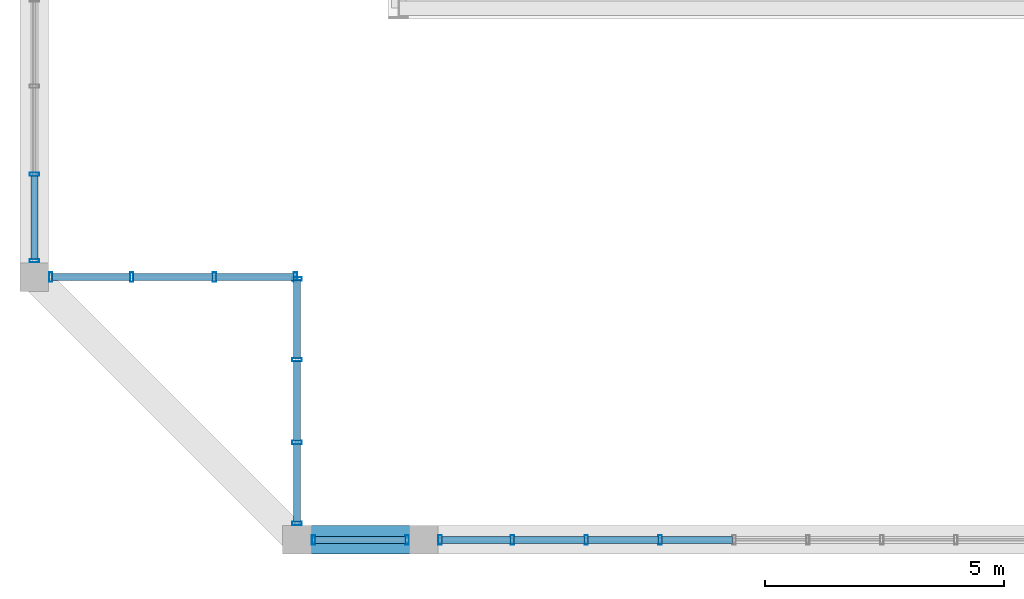
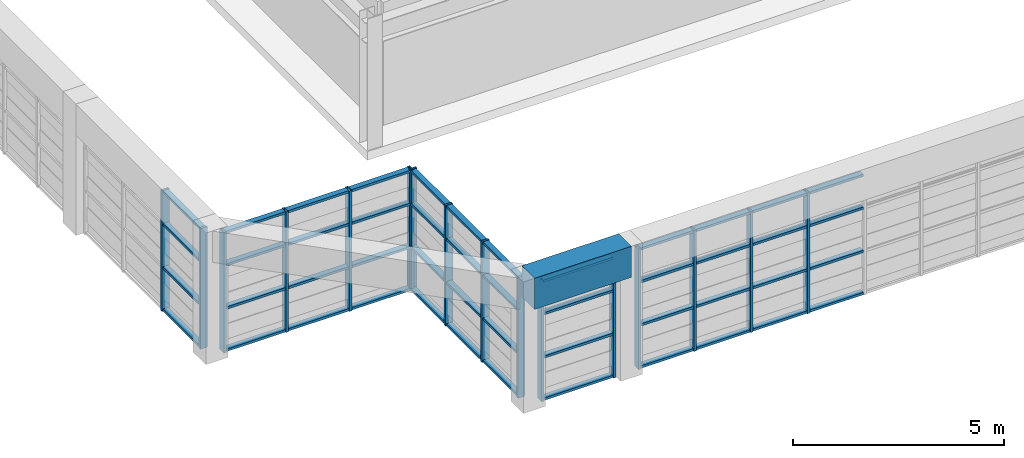
# One storey, part 2 of 27: 64 members, 1 beam, 5 elements without a shape of their own.
"""IFC4 building model written with IfcOpenShell, lengths in metres."""

from ifc_helpers import new_model, si_unit, direction, frame, origin, origin_2d, place, context, subcontext, project, spatial, rectangle, hollow_rectangle, extrude, source, transform, mapped, material, layer, layer_set, material_profile, profile_set, type_object, element, aggregate, save


model = new_model("IFC4")

# Units and contexts
model_context = context("Model", 3, precision=1e-05, world=origin(), true_north=direction((0.0, 1.0)))
body_context = subcontext(model_context, "Body", "Model", "MODEL_VIEW")
ifc_project = project(units=[si_unit("LENGTHUNIT", "METRE"), si_unit("AREAUNIT", "SQUARE_METRE"), si_unit("VOLUMEUNIT", "CUBIC_METRE"), si_unit("PLANEANGLEUNIT", "RADIAN"), si_unit("MASSUNIT", "GRAM", prefix="KILO")], contexts=[model_context])

# Site, building, storey
site_placement = place(None, origin())
site = spatial("IfcSite", under=ifc_project, at=site_placement, CompositionType="ELEMENT")
building_placement = place(site_placement, origin())
building = spatial("IfcBuilding", under=site, at=building_placement, Name="Saelheon Loggia Tower", CompositionType="ELEMENT")
storey_placement = place(building_placement, frame((0.0, 0.0, 263.60009765625)))
storey = spatial("IfcBuildingStorey", under=building, at=storey_placement, Name="CR4", CompositionType="ELEMENT", Elevation=263.60009765625)

# Beam
ifc_material_1 = material(Name="Precast Concrete C45/55", Category="concrete")
ifc_material_profile_1 = material_profile(ifc_material_1, rectangle(XDim=0.60009765625, YDim=0.89990234375, at=origin_2d()), Name="RC-600x900")
ifc_profile_set_1 = profile_set([ifc_material_profile_1], Name="Precast Concrete C45/55")
beam_type = type_object("IfcBeamType", Name="CrownFrame_Ring_RC600x900", PredefinedType="BEAM", material=ifc_profile_set_1)
shared_shape_1 = source(origin(), body_context, "Body", "SweptSolid", [
    extrude(rectangle(XDim=0.60009765625, YDim=0.89990234375, at=origin_2d()), origin(), (0.0, 0.0, 1.0), 2.64990234375),
])
beam_placement = place(storey_placement, frame((28.85009765625, 6.35009765625, 3.349853515625), z_axis=(1.0, 0.0, 0.0), x_axis=(0.0, 1.0, 0.0)))
element("IfcBeam", 1, at=beam_placement, inside=storey, type_object=beam_type, Name="CR4 CROWN FRAME Ring Beam 01", PredefinedType="BEAM", context=body_context, shape_type="MappedRepresentation", body=[
    mapped(shared_shape_1, transform((0.0, 0.0, 0.0), scale=1.0)),
])

# Curtain wall, members
ifc_material_2 = material(Name="Bronze-Anodised Aluminium and Fritted Ceramic Screen", Category="aluminium")
ifc_layer = layer(ifc_material_2, 0.219970703125)
ifc_layer_set = layer_set([ifc_layer], Name="Bronze-Anodised Aluminium and Fritted Ceramic Screen")
curtain_wall_type = type_object("IfcCurtainWallType", Name="CW_CrownScreen", PredefinedType="NOTDEFINED", material=ifc_layer_set)
curtain_wall_1_placement = place(storey_placement, origin())
curtain_wall_1 = element("IfcCurtainWall", 2, at=curtain_wall_1_placement, inside=storey, type_object=curtain_wall_type, Name="CR4 Crown Screen Curtain Wall 0-1", PredefinedType="NOTDEFINED")
ifc_material_3 = material(Name="Bronze-Anodised Aluminium 6063-T6", Category="aluminium")
ifc_material_profile_2 = material_profile(ifc_material_3, hollow_rectangle(XDim=0.070068359375, YDim=0.199951171875, WallThickness=0.0048828125, at=origin_2d()), Name="RHS-200x70x5")
ifc_profile_set_2 = profile_set([ifc_material_profile_2], Name="Bronze-Anodised Aluminium 6063-T6")
member_type_1 = type_object("IfcMemberType", Name="CW_CrownScreen_Mullion", PredefinedType="MULLION", material=ifc_profile_set_2)
shared_shape_2 = source(origin(), body_context, "Body", "SweptSolid", [
    extrude(hollow_rectangle(XDim=0.070068359375, YDim=0.199951171875, WallThickness=0.0048828125, at=origin_2d()), origin(), (0.0, 0.0, 1.0), 3.47998046875),
])
member_1_placement = place(storey_placement, frame((29.195068359375, 6.35009765625, 0.0), z_axis=(0.0, 0.0, 1.0), x_axis=(1.0, 0.0, 0.0)))
member_1 = element("IfcMember", 3, at=member_1_placement, type_object=member_type_1, Name="CW6 mullion 1", PredefinedType="MULLION", context=body_context, shape_type="MappedRepresentation", body=[
    mapped(shared_shape_2, transform((0.0, 0.0, 0.0), scale=1.0)),
])
member_2_placement = place(storey_placement, frame((31.155029296875, 6.35009765625, 0.0), z_axis=(0.0, 0.0, 1.0), x_axis=(1.0, 0.0, 0.0)))
member_2 = element("IfcMember", 4, at=member_2_placement, type_object=member_type_1, Name="CW6 mullion 2", PredefinedType="MULLION", context=body_context, shape_type="MappedRepresentation", body=[
    mapped(shared_shape_2, transform((0.0, 0.0, 0.0), scale=1.0)),
])

curtain_wall_2_placement = place(storey_placement, origin())
curtain_wall_2 = element("IfcCurtainWall", 5, at=curtain_wall_2_placement, inside=storey, type_object=curtain_wall_type, Name="CR4 Crown Screen Curtain Wall 0-2", PredefinedType="NOTDEFINED")
member_3_placement = place(storey_placement, frame((31.844970703125, 6.35009765625, 0.0), z_axis=(0.0, 0.0, 1.0), x_axis=(1.0, 0.0, 0.0)))
member_3 = element("IfcMember", 6, at=member_3_placement, type_object=member_type_1, Name="CW6 mullion 1", PredefinedType="MULLION", context=body_context, shape_type="MappedRepresentation", body=[
    mapped(shared_shape_2, transform((0.0, 0.0, 0.0), scale=1.0)),
])
member_4_placement = place(storey_placement, frame((33.357421875, 6.35009765625, 0.0), z_axis=(0.0, 0.0, 1.0), x_axis=(1.0, 0.0, 0.0)))
member_4 = element("IfcMember", 7, at=member_4_placement, type_object=member_type_1, Name="CW6 mullion 2", PredefinedType="MULLION", context=body_context, shape_type="MappedRepresentation", body=[
    mapped(shared_shape_2, transform((0.0, 0.0, 0.0), scale=1.0)),
])
member_5_placement = place(storey_placement, frame((34.905029296875, 6.35009765625, 0.0), z_axis=(0.0, 0.0, 1.0), x_axis=(1.0, 0.0, 0.0)))
member_5 = element("IfcMember", 8, at=member_5_placement, type_object=member_type_1, Name="CW6 mullion 3", PredefinedType="MULLION", context=body_context, shape_type="MappedRepresentation", body=[
    mapped(shared_shape_2, transform((0.0, 0.0, 0.0), scale=1.0)),
])
member_6_placement = place(storey_placement, frame((36.452392578125, 6.35009765625, 0.0), z_axis=(0.0, 0.0, 1.0), x_axis=(1.0, 0.0, 0.0)))
member_6 = element("IfcMember", 9, at=member_6_placement, type_object=member_type_1, Name="CW6 mullion 4", PredefinedType="MULLION", context=body_context, shape_type="MappedRepresentation", body=[
    mapped(shared_shape_2, transform((0.0, 0.0, 0.0), scale=1.0)),
])

curtain_wall_3_placement = place(storey_placement, origin())
curtain_wall_3 = element("IfcCurtainWall", 10, at=curtain_wall_3_placement, inside=storey, type_object=curtain_wall_type, Name="CR4 Crown Screen Curtain Wall 9-3", PredefinedType="NOTDEFINED")
member_7_placement = place(storey_placement, frame((23.35009765625, 14.00341796875, 0.0), z_axis=(0.0, 0.0, 1.0), x_axis=(0.0, -1.0, 0.0)))
member_7 = element("IfcMember", 11, at=member_7_placement, type_object=member_type_1, Name="CW6 mullion 3", PredefinedType="MULLION", context=body_context, shape_type="MappedRepresentation", body=[
    mapped(shared_shape_2, transform((0.0, 0.0, 0.0), scale=1.0)),
])
member_8_placement = place(storey_placement, frame((23.35009765625, 12.195068359375, 0.0), z_axis=(0.0, 0.0, 1.0), x_axis=(0.0, -1.0, 0.0)))
member_8 = element("IfcMember", 12, at=member_8_placement, type_object=member_type_1, Name="CW6 mullion 4", PredefinedType="MULLION", context=body_context, shape_type="MappedRepresentation", body=[
    mapped(shared_shape_2, transform((0.0, 0.0, 0.0), scale=1.0)),
])

curtain_wall_4_placement = place(storey_placement, origin())
curtain_wall_4 = element("IfcCurtainWall", 13, at=curtain_wall_4_placement, inside=storey, type_object=curtain_wall_type, Name="CR4 Crown Screen Curtain Wall 10-1", PredefinedType="NOTDEFINED")
member_9_placement = place(storey_placement, frame((23.695068359375, 11.85009765625, 0.0), z_axis=(0.0, 0.0, 1.0), x_axis=(1.0, 0.0, 0.0)))
member_9 = element("IfcMember", 14, at=member_9_placement, type_object=member_type_1, Name="CW6 mullion 1", PredefinedType="MULLION", context=body_context, shape_type="MappedRepresentation", body=[
    mapped(shared_shape_2, transform((0.0, 0.0, 0.0), scale=1.0)),
])
member_10_placement = place(storey_placement, frame((25.389892578125, 11.85009765625, 0.0), z_axis=(0.0, 0.0, 1.0), x_axis=(1.0, 0.0, 0.0)))
member_10 = element("IfcMember", 15, at=member_10_placement, type_object=member_type_1, Name="CW6 mullion 2", PredefinedType="MULLION", context=body_context, shape_type="MappedRepresentation", body=[
    mapped(shared_shape_2, transform((0.0, 0.0, 0.0), scale=1.0)),
])
member_11_placement = place(storey_placement, frame((27.1201171875, 11.85009765625, 0.0), z_axis=(0.0, 0.0, 1.0), x_axis=(1.0, 0.0, 0.0)))
member_11 = element("IfcMember", 16, at=member_11_placement, type_object=member_type_1, Name="CW6 mullion 3", PredefinedType="MULLION", context=body_context, shape_type="MappedRepresentation", body=[
    mapped(shared_shape_2, transform((0.0, 0.0, 0.0), scale=1.0)),
])
member_12_placement = place(storey_placement, frame((28.81494140625, 11.85009765625, 0.0), z_axis=(0.0, 0.0, 1.0), x_axis=(1.0, 0.0, 0.0)))
member_12 = element("IfcMember", 17, at=member_12_placement, type_object=member_type_1, Name="CW6 mullion 4", PredefinedType="MULLION", context=body_context, shape_type="MappedRepresentation", body=[
    mapped(shared_shape_2, transform((0.0, 0.0, 0.0), scale=1.0)),
])

curtain_wall_5_placement = place(storey_placement, origin())
curtain_wall_5 = element("IfcCurtainWall", 18, at=curtain_wall_5_placement, inside=storey, type_object=curtain_wall_type, Name="CR4 Crown Screen Curtain Wall 11-1", PredefinedType="NOTDEFINED")
member_13_placement = place(storey_placement, frame((28.85009765625, 11.81494140625, 0.0), z_axis=(0.0, 0.0, 1.0), x_axis=(0.0, -1.0, 0.0)))
member_13 = element("IfcMember", 19, at=member_13_placement, type_object=member_type_1, Name="CW6 mullion 1", PredefinedType="MULLION", context=body_context, shape_type="MappedRepresentation", body=[
    mapped(shared_shape_2, transform((0.0, 0.0, 0.0), scale=1.0)),
])
member_14_placement = place(storey_placement, frame((28.85009765625, 10.1201171875, 0.0), z_axis=(0.0, 0.0, 1.0), x_axis=(0.0, -1.0, 0.0)))
member_14 = element("IfcMember", 20, at=member_14_placement, type_object=member_type_1, Name="CW6 mullion 2", PredefinedType="MULLION", context=body_context, shape_type="MappedRepresentation", body=[
    mapped(shared_shape_2, transform((0.0, 0.0, 0.0), scale=1.0)),
])
member_15_placement = place(storey_placement, frame((28.85009765625, 8.389892578125, 0.0), z_axis=(0.0, 0.0, 1.0), x_axis=(0.0, -1.0, 0.0)))
member_15 = element("IfcMember", 21, at=member_15_placement, type_object=member_type_1, Name="CW6 mullion 3", PredefinedType="MULLION", context=body_context, shape_type="MappedRepresentation", body=[
    mapped(shared_shape_2, transform((0.0, 0.0, 0.0), scale=1.0)),
])
member_16_placement = place(storey_placement, frame((28.85009765625, 6.695068359375, 0.0), z_axis=(0.0, 0.0, 1.0), x_axis=(0.0, -1.0, 0.0)))
member_16 = element("IfcMember", 22, at=member_16_placement, type_object=member_type_1, Name="CW6 mullion 4", PredefinedType="MULLION", context=body_context, shape_type="MappedRepresentation", body=[
    mapped(shared_shape_2, transform((0.0, 0.0, 0.0), scale=1.0)),
])

# Member
ifc_material_profile_3 = material_profile(ifc_material_3, hollow_rectangle(XDim=0.070068359375, YDim=0.14990234375, WallThickness=0.0048828125, at=origin_2d()), Name="RHS-150x70x5")
ifc_profile_set_3 = profile_set([ifc_material_profile_3], Name="Bronze-Anodised Aluminium 6063-T6")
member_type_2 = type_object("IfcMemberType", Name="CW_CrownScreen_Transom", PredefinedType="USERDEFINED", material=ifc_profile_set_3)
shared_shape_3 = source(origin(), body_context, "Body", "SweptSolid", [
    extrude(hollow_rectangle(XDim=0.070068359375, YDim=0.14990234375, WallThickness=0.0048828125, at=origin_2d()), origin(), (0.0, 0.0, 1.0), 1.89013671875),
])
member_17_placement = place(storey_placement, frame((29.22998046875, 6.35009765625, 0.034912109375), z_axis=(1.0, 0.0, 0.0), x_axis=(0.0, 0.0, 1.0)))
member_17 = element("IfcMember", 23, at=member_17_placement, type_object=member_type_2, Name="CW6 transom 1.1", ObjectType="TRANSOM", PredefinedType="USERDEFINED", context=body_context, shape_type="MappedRepresentation", body=[
    mapped(shared_shape_3, transform((0.0, 0.0, 0.0), scale=1.0)),
])

member_18_placement = place(storey_placement, frame((29.22998046875, 6.35009765625, 1.25), z_axis=(1.0, 0.0, 0.0), x_axis=(0.0, 0.0, 1.0)))
member_18 = element("IfcMember", 24, at=member_18_placement, type_object=member_type_2, Name="CW6 transom 1.2", ObjectType="TRANSOM", PredefinedType="USERDEFINED", context=body_context, shape_type="MappedRepresentation", body=[
    mapped(shared_shape_3, transform((0.0, 0.0, 0.0), scale=1.0)),
])

member_19_placement = place(storey_placement, frame((29.22998046875, 6.35009765625, 2.5), z_axis=(1.0, 0.0, 0.0), x_axis=(0.0, 0.0, 1.0)))
member_19 = element("IfcMember", 25, at=member_19_placement, type_object=member_type_2, Name="CW6 transom 1.3", ObjectType="TRANSOM", PredefinedType="USERDEFINED", context=body_context, shape_type="MappedRepresentation", body=[
    mapped(shared_shape_3, transform((0.0, 0.0, 0.0), scale=1.0)),
])

member_20_placement = place(storey_placement, frame((29.22998046875, 6.35009765625, 3.44482421875), z_axis=(1.0, 0.0, 0.0), x_axis=(0.0, 0.0, 1.0)))
member_20 = element("IfcMember", 26, at=member_20_placement, type_object=member_type_2, Name="CW6 transom 1.4", ObjectType="TRANSOM", PredefinedType="USERDEFINED", context=body_context, shape_type="MappedRepresentation", body=[
    mapped(shared_shape_3, transform((0.0, 0.0, 0.0), scale=1.0)),
])

aggregate(curtain_wall_1, [member_1, member_2, member_17, member_18, member_19, member_20])

shared_shape_4 = source(origin(), body_context, "Body", "SweptSolid", [
    extrude(hollow_rectangle(XDim=0.070068359375, YDim=0.14990234375, WallThickness=0.0048828125, at=origin_2d()), origin(), (0.0, 0.0, 1.0), 1.442626953125),
])
member_21_placement = place(storey_placement, frame((31.8798828125, 6.35009765625, 0.034912109375), z_axis=(1.0, 0.0, 0.0), x_axis=(0.0, 0.0, 1.0)))
member_21 = element("IfcMember", 27, at=member_21_placement, type_object=member_type_2, Name="CW6 transom 1.1", ObjectType="TRANSOM", PredefinedType="USERDEFINED", context=body_context, shape_type="MappedRepresentation", body=[
    mapped(shared_shape_4, transform((0.0, 0.0, 0.0), scale=1.0)),
])

member_22_placement = place(storey_placement, frame((31.8798828125, 6.35009765625, 1.25), z_axis=(1.0, 0.0, 0.0), x_axis=(0.0, 0.0, 1.0)))
member_22 = element("IfcMember", 28, at=member_22_placement, type_object=member_type_2, Name="CW6 transom 1.2", ObjectType="TRANSOM", PredefinedType="USERDEFINED", context=body_context, shape_type="MappedRepresentation", body=[
    mapped(shared_shape_4, transform((0.0, 0.0, 0.0), scale=1.0)),
])

member_23_placement = place(storey_placement, frame((31.8798828125, 6.35009765625, 2.5), z_axis=(1.0, 0.0, 0.0), x_axis=(0.0, 0.0, 1.0)))
member_23 = element("IfcMember", 29, at=member_23_placement, type_object=member_type_2, Name="CW6 transom 1.3", ObjectType="TRANSOM", PredefinedType="USERDEFINED", context=body_context, shape_type="MappedRepresentation", body=[
    mapped(shared_shape_4, transform((0.0, 0.0, 0.0), scale=1.0)),
])

member_24_placement = place(storey_placement, frame((31.8798828125, 6.35009765625, 3.44482421875), z_axis=(1.0, 0.0, 0.0), x_axis=(0.0, 0.0, 1.0)))
member_24 = element("IfcMember", 30, at=member_24_placement, type_object=member_type_2, Name="CW6 transom 1.4", ObjectType="TRANSOM", PredefinedType="USERDEFINED", context=body_context, shape_type="MappedRepresentation", body=[
    mapped(shared_shape_4, transform((0.0, 0.0, 0.0), scale=1.0)),
])

shared_shape_5 = source(origin(), body_context, "Body", "SweptSolid", [
    extrude(hollow_rectangle(XDim=0.070068359375, YDim=0.14990234375, WallThickness=0.0048828125, at=origin_2d()), origin(), (0.0, 0.0, 1.0), 1.4775390625),
])
member_25_placement = place(storey_placement, frame((33.392578125, 6.35009765625, 0.034912109375), z_axis=(1.0, 0.0, 0.0), x_axis=(0.0, 0.0, 1.0)))
member_25 = element("IfcMember", 31, at=member_25_placement, type_object=member_type_2, Name="CW6 transom 2.1", ObjectType="TRANSOM", PredefinedType="USERDEFINED", context=body_context, shape_type="MappedRepresentation", body=[
    mapped(shared_shape_5, transform((0.0, 0.0, 0.0), scale=1.0)),
])

member_26_placement = place(storey_placement, frame((33.392578125, 6.35009765625, 1.25), z_axis=(1.0, 0.0, 0.0), x_axis=(0.0, 0.0, 1.0)))
member_26 = element("IfcMember", 32, at=member_26_placement, type_object=member_type_2, Name="CW6 transom 2.2", ObjectType="TRANSOM", PredefinedType="USERDEFINED", context=body_context, shape_type="MappedRepresentation", body=[
    mapped(shared_shape_5, transform((0.0, 0.0, 0.0), scale=1.0)),
])

member_27_placement = place(storey_placement, frame((33.392578125, 6.35009765625, 2.5), z_axis=(1.0, 0.0, 0.0), x_axis=(0.0, 0.0, 1.0)))
member_27 = element("IfcMember", 33, at=member_27_placement, type_object=member_type_2, Name="CW6 transom 2.3", ObjectType="TRANSOM", PredefinedType="USERDEFINED", context=body_context, shape_type="MappedRepresentation", body=[
    mapped(shared_shape_5, transform((0.0, 0.0, 0.0), scale=1.0)),
])

member_28_placement = place(storey_placement, frame((33.392578125, 6.35009765625, 3.44482421875), z_axis=(1.0, 0.0, 0.0), x_axis=(0.0, 0.0, 1.0)))
member_28 = element("IfcMember", 34, at=member_28_placement, type_object=member_type_2, Name="CW6 transom 2.4", ObjectType="TRANSOM", PredefinedType="USERDEFINED", context=body_context, shape_type="MappedRepresentation", body=[
    mapped(shared_shape_5, transform((0.0, 0.0, 0.0), scale=1.0)),
])

member_29_placement = place(storey_placement, frame((34.93994140625, 6.35009765625, 0.034912109375), z_axis=(1.0, 0.0, 0.0), x_axis=(0.0, 0.0, 1.0)))
member_29 = element("IfcMember", 35, at=member_29_placement, type_object=member_type_2, Name="CW6 transom 3.1", ObjectType="TRANSOM", PredefinedType="USERDEFINED", context=body_context, shape_type="MappedRepresentation", body=[
    mapped(shared_shape_5, transform((0.0, 0.0, 0.0), scale=1.0)),
])

member_30_placement = place(storey_placement, frame((34.93994140625, 6.35009765625, 1.25), z_axis=(1.0, 0.0, 0.0), x_axis=(0.0, 0.0, 1.0)))
member_30 = element("IfcMember", 36, at=member_30_placement, type_object=member_type_2, Name="CW6 transom 3.2", ObjectType="TRANSOM", PredefinedType="USERDEFINED", context=body_context, shape_type="MappedRepresentation", body=[
    mapped(shared_shape_5, transform((0.0, 0.0, 0.0), scale=1.0)),
])

member_31_placement = place(storey_placement, frame((34.93994140625, 6.35009765625, 2.5), z_axis=(1.0, 0.0, 0.0), x_axis=(0.0, 0.0, 1.0)))
member_31 = element("IfcMember", 37, at=member_31_placement, type_object=member_type_2, Name="CW6 transom 3.3", ObjectType="TRANSOM", PredefinedType="USERDEFINED", context=body_context, shape_type="MappedRepresentation", body=[
    mapped(shared_shape_5, transform((0.0, 0.0, 0.0), scale=1.0)),
])

member_32_placement = place(storey_placement, frame((34.93994140625, 6.35009765625, 3.44482421875), z_axis=(1.0, 0.0, 0.0), x_axis=(0.0, 0.0, 1.0)))
member_32 = element("IfcMember", 38, at=member_32_placement, type_object=member_type_2, Name="CW6 transom 3.4", ObjectType="TRANSOM", PredefinedType="USERDEFINED", context=body_context, shape_type="MappedRepresentation", body=[
    mapped(shared_shape_5, transform((0.0, 0.0, 0.0), scale=1.0)),
])

member_33_placement = place(storey_placement, frame((36.487548828125, 6.35009765625, 0.034912109375), z_axis=(1.0, 0.0, 0.0), x_axis=(0.0, 0.0, 1.0)))
member_33 = element("IfcMember", 39, at=member_33_placement, type_object=member_type_2, Name="CW6 transom 4.1", ObjectType="TRANSOM", PredefinedType="USERDEFINED", context=body_context, shape_type="MappedRepresentation", body=[
    mapped(shared_shape_5, transform((0.0, 0.0, 0.0), scale=1.0)),
])

member_34_placement = place(storey_placement, frame((36.487548828125, 6.35009765625, 1.25), z_axis=(1.0, 0.0, 0.0), x_axis=(0.0, 0.0, 1.0)))
member_34 = element("IfcMember", 40, at=member_34_placement, type_object=member_type_2, Name="CW6 transom 4.2", ObjectType="TRANSOM", PredefinedType="USERDEFINED", context=body_context, shape_type="MappedRepresentation", body=[
    mapped(shared_shape_5, transform((0.0, 0.0, 0.0), scale=1.0)),
])

member_35_placement = place(storey_placement, frame((36.487548828125, 6.35009765625, 2.5), z_axis=(1.0, 0.0, 0.0), x_axis=(0.0, 0.0, 1.0)))
member_35 = element("IfcMember", 41, at=member_35_placement, type_object=member_type_2, Name="CW6 transom 4.3", ObjectType="TRANSOM", PredefinedType="USERDEFINED", context=body_context, shape_type="MappedRepresentation", body=[
    mapped(shared_shape_5, transform((0.0, 0.0, 0.0), scale=1.0)),
])

member_36_placement = place(storey_placement, frame((36.487548828125, 6.35009765625, 3.44482421875), z_axis=(1.0, 0.0, 0.0), x_axis=(0.0, 0.0, 1.0)))
member_36 = element("IfcMember", 42, at=member_36_placement, type_object=member_type_2, Name="CW6 transom 4.4", ObjectType="TRANSOM", PredefinedType="USERDEFINED", context=body_context, shape_type="MappedRepresentation", body=[
    mapped(shared_shape_5, transform((0.0, 0.0, 0.0), scale=1.0)),
])

aggregate(curtain_wall_2, [member_3, member_4, member_5, member_6, member_21, member_22, member_23, member_24, member_25, member_26, member_27, member_28, member_29, member_30, member_31, member_32, member_33, member_34, member_35, member_36])

shared_shape_6 = source(origin(), body_context, "Body", "SweptSolid", [
    extrude(hollow_rectangle(XDim=0.070068359375, YDim=0.14990234375, WallThickness=0.0048828125, at=origin_2d()), origin(), (0.0, 0.0, 1.0), 1.625),
])
member_37_placement = place(storey_placement, frame((23.72998046875, 11.85009765625, 0.034912109375), z_axis=(1.0, 0.0, 0.0), x_axis=(0.0, 0.0, 1.0)))
member_37 = element("IfcMember", 43, at=member_37_placement, type_object=member_type_2, Name="CW6 transom 1.1", ObjectType="TRANSOM", PredefinedType="USERDEFINED", context=body_context, shape_type="MappedRepresentation", body=[
    mapped(shared_shape_6, transform((0.0, 0.0, 0.0), scale=1.0)),
])

member_38_placement = place(storey_placement, frame((23.72998046875, 11.85009765625, 1.25), z_axis=(1.0, 0.0, 0.0), x_axis=(0.0, 0.0, 1.0)))
member_38 = element("IfcMember", 44, at=member_38_placement, type_object=member_type_2, Name="CW6 transom 1.2", ObjectType="TRANSOM", PredefinedType="USERDEFINED", context=body_context, shape_type="MappedRepresentation", body=[
    mapped(shared_shape_6, transform((0.0, 0.0, 0.0), scale=1.0)),
])

member_39_placement = place(storey_placement, frame((23.72998046875, 11.85009765625, 2.5), z_axis=(1.0, 0.0, 0.0), x_axis=(0.0, 0.0, 1.0)))
member_39 = element("IfcMember", 45, at=member_39_placement, type_object=member_type_2, Name="CW6 transom 1.3", ObjectType="TRANSOM", PredefinedType="USERDEFINED", context=body_context, shape_type="MappedRepresentation", body=[
    mapped(shared_shape_6, transform((0.0, 0.0, 0.0), scale=1.0)),
])

member_40_placement = place(storey_placement, frame((23.72998046875, 11.85009765625, 3.44482421875), z_axis=(1.0, 0.0, 0.0), x_axis=(0.0, 0.0, 1.0)))
member_40 = element("IfcMember", 46, at=member_40_placement, type_object=member_type_2, Name="CW6 transom 1.4", ObjectType="TRANSOM", PredefinedType="USERDEFINED", context=body_context, shape_type="MappedRepresentation", body=[
    mapped(shared_shape_6, transform((0.0, 0.0, 0.0), scale=1.0)),
])

member_41_placement = place(storey_placement, frame((27.155029296875, 11.85009765625, 0.034912109375), z_axis=(1.0, 0.0, 0.0), x_axis=(0.0, 0.0, 1.0)))
member_41 = element("IfcMember", 47, at=member_41_placement, type_object=member_type_2, Name="CW6 transom 3.1", ObjectType="TRANSOM", PredefinedType="USERDEFINED", context=body_context, shape_type="MappedRepresentation", body=[
    mapped(shared_shape_6, transform((0.0, 0.0, 0.0), scale=1.0)),
])

member_42_placement = place(storey_placement, frame((27.155029296875, 11.85009765625, 1.25), z_axis=(1.0, 0.0, 0.0), x_axis=(0.0, 0.0, 1.0)))
member_42 = element("IfcMember", 48, at=member_42_placement, type_object=member_type_2, Name="CW6 transom 3.2", ObjectType="TRANSOM", PredefinedType="USERDEFINED", context=body_context, shape_type="MappedRepresentation", body=[
    mapped(shared_shape_6, transform((0.0, 0.0, 0.0), scale=1.0)),
])

member_43_placement = place(storey_placement, frame((27.155029296875, 11.85009765625, 2.5), z_axis=(1.0, 0.0, 0.0), x_axis=(0.0, 0.0, 1.0)))
member_43 = element("IfcMember", 49, at=member_43_placement, type_object=member_type_2, Name="CW6 transom 3.3", ObjectType="TRANSOM", PredefinedType="USERDEFINED", context=body_context, shape_type="MappedRepresentation", body=[
    mapped(shared_shape_6, transform((0.0, 0.0, 0.0), scale=1.0)),
])

member_44_placement = place(storey_placement, frame((27.155029296875, 11.85009765625, 3.44482421875), z_axis=(1.0, 0.0, 0.0), x_axis=(0.0, 0.0, 1.0)))
member_44 = element("IfcMember", 50, at=member_44_placement, type_object=member_type_2, Name="CW6 transom 3.4", ObjectType="TRANSOM", PredefinedType="USERDEFINED", context=body_context, shape_type="MappedRepresentation", body=[
    mapped(shared_shape_6, transform((0.0, 0.0, 0.0), scale=1.0)),
])

member_45_placement = place(storey_placement, frame((28.85009765625, 11.780029296875, 0.034912109375), z_axis=(0.0, -1.0, 0.0), x_axis=(0.0, 0.0, 1.0)))
member_45 = element("IfcMember", 51, at=member_45_placement, type_object=member_type_2, Name="CW6 transom 1.1", ObjectType="TRANSOM", PredefinedType="USERDEFINED", context=body_context, shape_type="MappedRepresentation", body=[
    mapped(shared_shape_6, transform((0.0, 0.0, 0.0), scale=1.0)),
])

member_46_placement = place(storey_placement, frame((28.85009765625, 11.780029296875, 1.25), z_axis=(0.0, -1.0, 0.0), x_axis=(0.0, 0.0, 1.0)))
member_46 = element("IfcMember", 52, at=member_46_placement, type_object=member_type_2, Name="CW6 transom 1.2", ObjectType="TRANSOM", PredefinedType="USERDEFINED", context=body_context, shape_type="MappedRepresentation", body=[
    mapped(shared_shape_6, transform((0.0, 0.0, 0.0), scale=1.0)),
])

member_47_placement = place(storey_placement, frame((28.85009765625, 11.780029296875, 2.5), z_axis=(0.0, -1.0, 0.0), x_axis=(0.0, 0.0, 1.0)))
member_47 = element("IfcMember", 53, at=member_47_placement, type_object=member_type_2, Name="CW6 transom 1.3", ObjectType="TRANSOM", PredefinedType="USERDEFINED", context=body_context, shape_type="MappedRepresentation", body=[
    mapped(shared_shape_6, transform((0.0, 0.0, 0.0), scale=1.0)),
])

member_48_placement = place(storey_placement, frame((28.85009765625, 11.780029296875, 3.44482421875), z_axis=(0.0, -1.0, 0.0), x_axis=(0.0, 0.0, 1.0)))
member_48 = element("IfcMember", 54, at=member_48_placement, type_object=member_type_2, Name="CW6 transom 1.4", ObjectType="TRANSOM", PredefinedType="USERDEFINED", context=body_context, shape_type="MappedRepresentation", body=[
    mapped(shared_shape_6, transform((0.0, 0.0, 0.0), scale=1.0)),
])

member_49_placement = place(storey_placement, frame((28.85009765625, 8.35498046875, 0.034912109375), z_axis=(0.0, -1.0, 0.0), x_axis=(0.0, 0.0, 1.0)))
member_49 = element("IfcMember", 55, at=member_49_placement, type_object=member_type_2, Name="CW6 transom 3.1", ObjectType="TRANSOM", PredefinedType="USERDEFINED", context=body_context, shape_type="MappedRepresentation", body=[
    mapped(shared_shape_6, transform((0.0, 0.0, 0.0), scale=1.0)),
])

member_50_placement = place(storey_placement, frame((28.85009765625, 8.35498046875, 1.25), z_axis=(0.0, -1.0, 0.0), x_axis=(0.0, 0.0, 1.0)))
member_50 = element("IfcMember", 56, at=member_50_placement, type_object=member_type_2, Name="CW6 transom 3.2", ObjectType="TRANSOM", PredefinedType="USERDEFINED", context=body_context, shape_type="MappedRepresentation", body=[
    mapped(shared_shape_6, transform((0.0, 0.0, 0.0), scale=1.0)),
])

member_51_placement = place(storey_placement, frame((28.85009765625, 8.35498046875, 2.5), z_axis=(0.0, -1.0, 0.0), x_axis=(0.0, 0.0, 1.0)))
member_51 = element("IfcMember", 57, at=member_51_placement, type_object=member_type_2, Name="CW6 transom 3.3", ObjectType="TRANSOM", PredefinedType="USERDEFINED", context=body_context, shape_type="MappedRepresentation", body=[
    mapped(shared_shape_6, transform((0.0, 0.0, 0.0), scale=1.0)),
])

member_52_placement = place(storey_placement, frame((28.85009765625, 8.35498046875, 3.44482421875), z_axis=(0.0, -1.0, 0.0), x_axis=(0.0, 0.0, 1.0)))
member_52 = element("IfcMember", 58, at=member_52_placement, type_object=member_type_2, Name="CW6 transom 3.4", ObjectType="TRANSOM", PredefinedType="USERDEFINED", context=body_context, shape_type="MappedRepresentation", body=[
    mapped(shared_shape_6, transform((0.0, 0.0, 0.0), scale=1.0)),
])

shared_shape_7 = source(origin(), body_context, "Body", "SweptSolid", [
    extrude(hollow_rectangle(XDim=0.070068359375, YDim=0.14990234375, WallThickness=0.0048828125, at=origin_2d()), origin(), (0.0, 0.0, 1.0), 1.659912109375),
])
member_53_placement = place(storey_placement, frame((25.425048828125, 11.85009765625, 0.034912109375), z_axis=(1.0, 0.0, 0.0), x_axis=(0.0, 0.0, 1.0)))
member_53 = element("IfcMember", 59, at=member_53_placement, type_object=member_type_2, Name="CW6 transom 2.1", ObjectType="TRANSOM", PredefinedType="USERDEFINED", context=body_context, shape_type="MappedRepresentation", body=[
    mapped(shared_shape_7, transform((0.0, 0.0, 0.0), scale=1.0)),
])

member_54_placement = place(storey_placement, frame((25.425048828125, 11.85009765625, 1.25), z_axis=(1.0, 0.0, 0.0), x_axis=(0.0, 0.0, 1.0)))
member_54 = element("IfcMember", 60, at=member_54_placement, type_object=member_type_2, Name="CW6 transom 2.2", ObjectType="TRANSOM", PredefinedType="USERDEFINED", context=body_context, shape_type="MappedRepresentation", body=[
    mapped(shared_shape_7, transform((0.0, 0.0, 0.0), scale=1.0)),
])

member_55_placement = place(storey_placement, frame((25.425048828125, 11.85009765625, 2.5), z_axis=(1.0, 0.0, 0.0), x_axis=(0.0, 0.0, 1.0)))
member_55 = element("IfcMember", 61, at=member_55_placement, type_object=member_type_2, Name="CW6 transom 2.3", ObjectType="TRANSOM", PredefinedType="USERDEFINED", context=body_context, shape_type="MappedRepresentation", body=[
    mapped(shared_shape_7, transform((0.0, 0.0, 0.0), scale=1.0)),
])

member_56_placement = place(storey_placement, frame((25.425048828125, 11.85009765625, 3.44482421875), z_axis=(1.0, 0.0, 0.0), x_axis=(0.0, 0.0, 1.0)))
member_56 = element("IfcMember", 62, at=member_56_placement, type_object=member_type_2, Name="CW6 transom 2.4", ObjectType="TRANSOM", PredefinedType="USERDEFINED", context=body_context, shape_type="MappedRepresentation", body=[
    mapped(shared_shape_7, transform((0.0, 0.0, 0.0), scale=1.0)),
])

aggregate(curtain_wall_4, [member_9, member_10, member_11, member_12, member_37, member_38, member_39, member_40, member_53, member_54, member_55, member_56, member_41, member_42, member_43, member_44])

member_57_placement = place(storey_placement, frame((28.85009765625, 10.0849609375, 0.034912109375), z_axis=(0.0, -1.0, 0.0), x_axis=(0.0, 0.0, 1.0)))
member_57 = element("IfcMember", 63, at=member_57_placement, type_object=member_type_2, Name="CW6 transom 2.1", ObjectType="TRANSOM", PredefinedType="USERDEFINED", context=body_context, shape_type="MappedRepresentation", body=[
    mapped(shared_shape_7, transform((0.0, 0.0, 0.0), scale=1.0)),
])

member_58_placement = place(storey_placement, frame((28.85009765625, 10.0849609375, 1.25), z_axis=(0.0, -1.0, 0.0), x_axis=(0.0, 0.0, 1.0)))
member_58 = element("IfcMember", 64, at=member_58_placement, type_object=member_type_2, Name="CW6 transom 2.2", ObjectType="TRANSOM", PredefinedType="USERDEFINED", context=body_context, shape_type="MappedRepresentation", body=[
    mapped(shared_shape_7, transform((0.0, 0.0, 0.0), scale=1.0)),
])

member_59_placement = place(storey_placement, frame((28.85009765625, 10.0849609375, 2.5), z_axis=(0.0, -1.0, 0.0), x_axis=(0.0, 0.0, 1.0)))
member_59 = element("IfcMember", 65, at=member_59_placement, type_object=member_type_2, Name="CW6 transom 2.3", ObjectType="TRANSOM", PredefinedType="USERDEFINED", context=body_context, shape_type="MappedRepresentation", body=[
    mapped(shared_shape_7, transform((0.0, 0.0, 0.0), scale=1.0)),
])

member_60_placement = place(storey_placement, frame((28.85009765625, 10.0849609375, 3.44482421875), z_axis=(0.0, -1.0, 0.0), x_axis=(0.0, 0.0, 1.0)))
member_60 = element("IfcMember", 66, at=member_60_placement, type_object=member_type_2, Name="CW6 transom 2.4", ObjectType="TRANSOM", PredefinedType="USERDEFINED", context=body_context, shape_type="MappedRepresentation", body=[
    mapped(shared_shape_7, transform((0.0, 0.0, 0.0), scale=1.0)),
])

aggregate(curtain_wall_5, [member_13, member_14, member_15, member_16, member_45, member_46, member_47, member_48, member_57, member_58, member_59, member_60, member_49, member_50, member_51, member_52])

shared_shape_8 = source(origin(), body_context, "Body", "SweptSolid", [
    extrude(hollow_rectangle(XDim=0.070068359375, YDim=0.14990234375, WallThickness=0.0048828125, at=origin_2d()), origin(), (0.0, 0.0, 1.0), 1.73828125),
])
member_61_placement = place(storey_placement, frame((23.35009765625, 13.96826171875, 0.034912109375), z_axis=(0.0, -1.0, 0.0), x_axis=(0.0, 0.0, 1.0)))
member_61 = element("IfcMember", 67, at=member_61_placement, type_object=member_type_2, Name="CW6 transom 3.1", ObjectType="TRANSOM", PredefinedType="USERDEFINED", context=body_context, shape_type="MappedRepresentation", body=[
    mapped(shared_shape_8, transform((0.0, 0.0, 0.0), scale=1.0)),
])

member_62_placement = place(storey_placement, frame((23.35009765625, 13.96826171875, 1.25), z_axis=(0.0, -1.0, 0.0), x_axis=(0.0, 0.0, 1.0)))
member_62 = element("IfcMember", 68, at=member_62_placement, type_object=member_type_2, Name="CW6 transom 3.2", ObjectType="TRANSOM", PredefinedType="USERDEFINED", context=body_context, shape_type="MappedRepresentation", body=[
    mapped(shared_shape_8, transform((0.0, 0.0, 0.0), scale=1.0)),
])

member_63_placement = place(storey_placement, frame((23.35009765625, 13.96826171875, 2.5), z_axis=(0.0, -1.0, 0.0), x_axis=(0.0, 0.0, 1.0)))
member_63 = element("IfcMember", 69, at=member_63_placement, type_object=member_type_2, Name="CW6 transom 3.3", ObjectType="TRANSOM", PredefinedType="USERDEFINED", context=body_context, shape_type="MappedRepresentation", body=[
    mapped(shared_shape_8, transform((0.0, 0.0, 0.0), scale=1.0)),
])

member_64_placement = place(storey_placement, frame((23.35009765625, 13.96826171875, 3.44482421875), z_axis=(0.0, -1.0, 0.0), x_axis=(0.0, 0.0, 1.0)))
member_64 = element("IfcMember", 70, at=member_64_placement, type_object=member_type_2, Name="CW6 transom 3.4", ObjectType="TRANSOM", PredefinedType="USERDEFINED", context=body_context, shape_type="MappedRepresentation", body=[
    mapped(shared_shape_8, transform((0.0, 0.0, 0.0), scale=1.0)),
])

aggregate(curtain_wall_3, [member_7, member_8, member_61, member_62, member_63, member_64])

save(model, "model.ifc")
